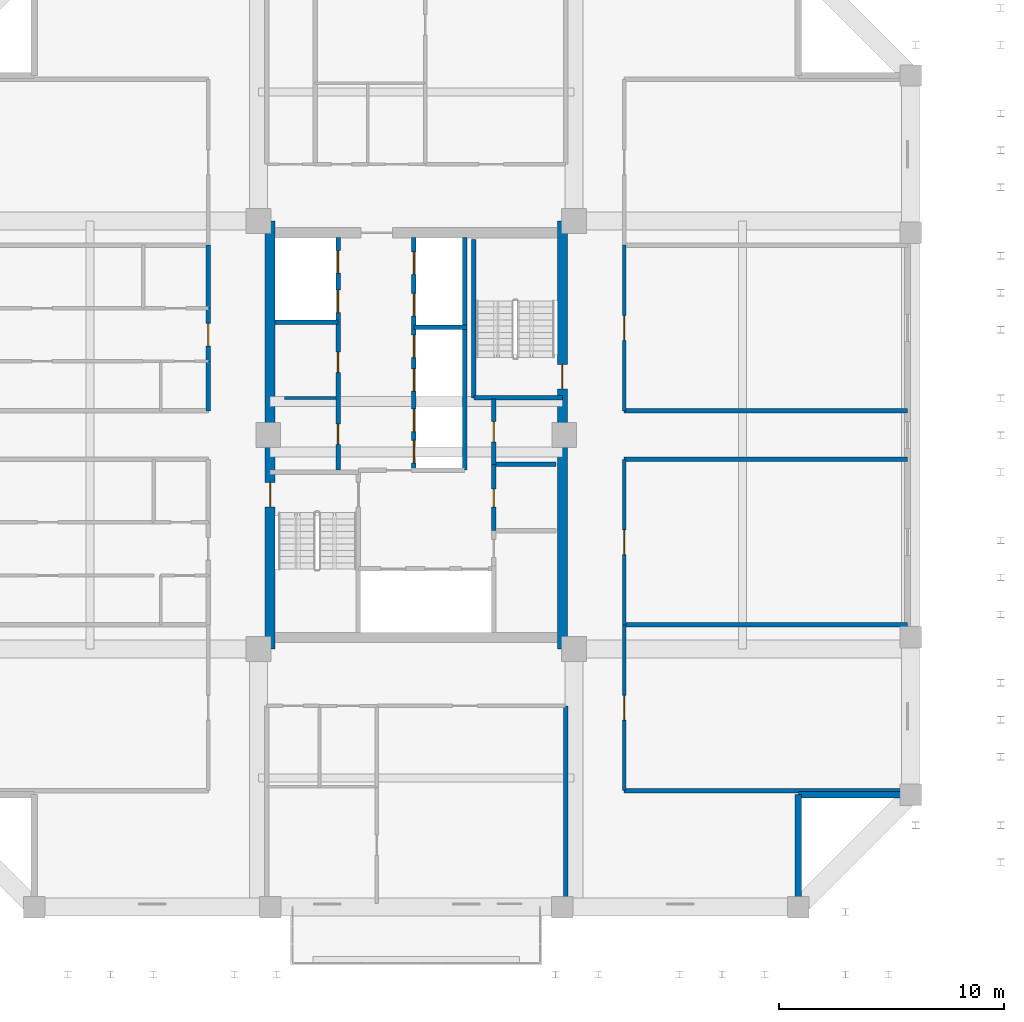
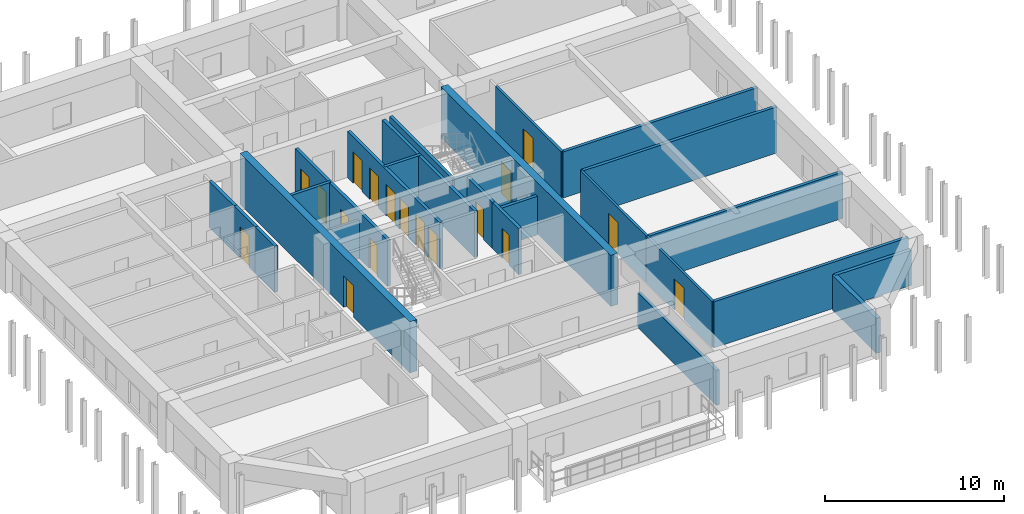
# One storey, part 9 of 13: 27 walls, 18 doors, 18 openings.
"""IFC4 building model written with IfcOpenShell, lengths in metres."""

from ifc_helpers import new_model, si_unit, direction, frame, frame_2d, origin, place, context, subcontext, project, spatial, rectangle, extrude, source, transform, mapped, material, layer, layer_set, type_object, element, fill, save


model = new_model("IFC4")

# Units and contexts
model_context = context("Model", 3, precision=1e-05, world=origin(), true_north=direction((0.0, 1.0)))
body_context = subcontext(model_context, "Body", "Model", "MODEL_VIEW")
ifc_project = project(units=[si_unit("LENGTHUNIT", "METRE"), si_unit("AREAUNIT", "SQUARE_METRE"), si_unit("VOLUMEUNIT", "CUBIC_METRE"), si_unit("PLANEANGLEUNIT", "RADIAN"), si_unit("MASSUNIT", "GRAM", prefix="KILO")], contexts=[model_context])

# Site, building, storey
site_placement = place(None, origin())
site = spatial("IfcSite", under=ifc_project, at=site_placement, CompositionType="ELEMENT")
building_placement = place(site_placement, origin())
building = spatial("IfcBuilding", under=site, at=building_placement, Name="Saelheon Loggia Tower", CompositionType="ELEMENT")
storey_placement = place(building_placement, frame((0.0, 0.0, 148.699951171875)))
storey = spatial("IfcBuildingStorey", under=building, at=storey_placement, Name="L47", CompositionType="ELEMENT", Elevation=148.699951171875)

# Wall, opening, door
ifc_material_1 = material(Name="Concrete C45/55", Category="concrete")
ifc_layer_1 = layer(ifc_material_1, 0.449951171875)
ifc_layer_set_1 = layer_set([ifc_layer_1], Name="Concrete C45/55")
wall_type_1 = type_object("IfcWallType", Name="Wall_CoreShear_450", PredefinedType="SHEAR", material=ifc_layer_set_1)
wall_1_placement = place(storey_placement, frame((31.5, 17.47998046875, 0.0), z_axis=(0.0, 0.0, 1.0), x_axis=(0.0, 1.0, 0.0)))
wall_1 = element("IfcWall", 1, at=wall_1_placement, inside=storey, type_object=wall_type_1, Name="L47 Core Shear Wall West", PredefinedType="SHEAR", context=body_context, shape_type="SweptSolid", body=[
    extrude(rectangle(XDim=19.0400390625, YDim=0.449951171875, at=frame_2d((9.52001953125, 0.0))), origin(), (0.0, 0.0, 1.0), 3.5),
])
opening_1_placement = place(wall_1_placement, frame((6.320068359375, 0.0, 0.0)))
opening_1 = element("IfcOpeningElement", 2, at=opening_1_placement, cuts=wall_1, Name="Opening D-FD2", PredefinedType="OPENING", context=body_context, shape_type="SweptSolid", body=[
    extrude(rectangle(XDim=1.10009765625, YDim=2.14990234375, at=frame_2d((0.550048828125, 1.074951171875))), frame((0.0, 0.237060546875, 0.0), z_axis=(0.0, -1.0, 0.0), x_axis=(1.0, 0.0, 0.0)), (0.0, 0.0, 1.0), 0.473876953125),
])
ifc_material_2 = material(Name="Galvanised Steel Fire Door", Category="steel")
door_type_1 = type_object("IfcDoorType", Name="Door_Fire_FD60_1100", OperationType="NOTDEFINED", PredefinedType="DOOR", material=ifc_material_2)
shared_shape_1 = source(origin(), body_context, "Body", "SweptSolid", [
    extrude(rectangle(XDim=1.10009765625, YDim=2.14990234375, at=frame_2d((0.550048828125, 1.074951171875))), frame((0.0, 0.02490234375, 0.0), z_axis=(0.0, -1.0, 0.0), x_axis=(1.0, 0.0, 0.0)), (0.0, 0.0, 1.0), 0.050048828125),
])
door_1_placement = place(opening_1_placement, origin())
door_1 = element("IfcDoor", 3, at=door_1_placement, inside=storey, type_object=door_type_1, Name="L47 Stair ST1 Corridor Door", OperationType="SINGLE_SWING_LEFT", OverallHeight=2.14990234375, OverallWidth=1.10009765625, PredefinedType="DOOR", context=body_context, shape_type="MappedRepresentation", body=[
    mapped(shared_shape_1, transform((0.0, 0.0, 0.0), scale=1.0)),
])
fill(opening_1, door_1)

wall_2_placement = place(storey_placement, frame((44.5, 17.47998046875, 0.0), z_axis=(0.0, 0.0, 1.0), x_axis=(0.0, 1.0, 0.0)))
wall_2 = element("IfcWall", 4, at=wall_2_placement, inside=storey, type_object=wall_type_1, Name="L47 Core Shear Wall East", PredefinedType="SHEAR", context=body_context, shape_type="SweptSolid", body=[
    extrude(rectangle(XDim=19.0400390625, YDim=0.449951171875, at=frame_2d((9.52001953125, 0.0))), origin(), (0.0, 0.0, 1.0), 3.5),
])
opening_2_placement = place(wall_2_placement, frame((12.670166015625, 0.0, 0.0), z_axis=(0.0, 0.0, 1.0), x_axis=(-1.0, 0.0, 0.0)))
opening_2 = element("IfcOpeningElement", 5, at=opening_2_placement, cuts=wall_2, Name="Opening D-FD2", PredefinedType="OPENING", context=body_context, shape_type="SweptSolid", body=[
    extrude(rectangle(XDim=1.10009765625, YDim=2.14990234375, at=frame_2d((0.550048828125, 1.074951171875))), frame((0.0, 0.237060546875, 0.0), z_axis=(0.0, -1.0, 0.0), x_axis=(1.0, 0.0, 0.0)), (0.0, 0.0, 1.0), 0.473876953125),
])
door_2_placement = place(opening_2_placement, origin())
door_2 = element("IfcDoor", 6, at=door_2_placement, inside=storey, type_object=door_type_1, Name="L47 Stair ST2 Corridor Door", OperationType="SINGLE_SWING_RIGHT", OverallHeight=2.14990234375, OverallWidth=1.10009765625, PredefinedType="DOOR", context=body_context, shape_type="MappedRepresentation", body=[
    mapped(shared_shape_1, transform((0.0, 0.0, 0.0), scale=1.0)),
])
fill(opening_2, door_2)

# Walls
ifc_material_3 = material(Name="Architectural Precast Concrete C40/50", Category="concrete")
ifc_layer_2 = layer(ifc_material_3, 0.280029296875)
ifc_layer_set_2 = layer_set([ifc_layer_2], Name="Architectural Precast Concrete C40/50")
wall_type_2 = type_object("IfcWallType", Name="Wall_Ext_Loggia_280", PredefinedType="SOLIDWALL", material=ifc_layer_set_2)
for number, where, z_axis, x_axis, name in (
    (7, (55.0, 6.080078125, 0.0), (0.0, 0.0, 1.0), (0.0, 1.0, 0.0), "L47 Corner Notch Precast Wall SE1"),
    (8, (55.0, 11.0, 0.0), (0.0, 0.0, 1.0), (1.0, 0.0, 0.0), "L47 Corner Notch Precast Wall SE2"),
):
    element("IfcWall", number, at=place(storey_placement, frame(where, z_axis=z_axis, x_axis=x_axis)), inside=storey, type_object=wall_type_2, Name=name, PredefinedType="SOLIDWALL", context=body_context, shape_type="SweptSolid", body=[
        extrude(rectangle(XDim=4.919921875, YDim=0.280029296875, at=frame_2d((2.4599609375, 0.0))), origin(), (0.0, 0.0, 1.0), 2.39013671875),
    ])
ifc_material_4 = material(Name="Lightweight Autoclaved Aerated Concrete Block and Acoustic Gypsum", Category="concrete")
ifc_layer_3 = layer(ifc_material_4, 0.14990234375)
ifc_layer_set_3 = layer_set([ifc_layer_3], Name="Lightweight Autoclaved Aerated Concrete Block and Acoustic Gypsum")
wall_type_3 = type_object("IfcWallType", Name="Wall_Part_150", PredefinedType="PARTITIONING", material=ifc_layer_set_3)
wall_3_placement = place(storey_placement, frame((32.14990234375, 28.64990234375, 0.0), z_axis=(0.0, 0.0, 1.0), x_axis=(1.0, 0.0, 0.0)))
element("IfcWall", 9, at=wall_3_placement, inside=storey, type_object=wall_type_3, Name="L47 Freed Core Partition PL", PredefinedType="PARTITIONING", context=body_context, shape_type="SweptSolid", body=[
    extrude(rectangle(XDim=2.27001953125, YDim=0.14990234375, at=frame_2d((1.135009765625, 0.0))), origin(), (0.0, 0.0, 1.0), 2.64013671875),
])

# Wall, opening, door
wall_4_placement = place(storey_placement, frame((47.25, 11.179931640625, 0.0), z_axis=(0.0, 0.0, 1.0), x_axis=(0.0, 1.0, 0.0)))
wall_4 = element("IfcWall", 10, at=wall_4_placement, inside=storey, type_object=wall_type_3, Name="L47 ES Partition V03", PredefinedType="PARTITIONING", context=body_context, shape_type="SweptSolid", body=[
    extrude(rectangle(XDim=7.3701171875, YDim=0.14990234375, at=frame_2d((3.68505859375, 0.0))), origin(), (0.0, 0.0, 1.0), 3.16015625),
])
opening_3_placement = place(wall_4_placement, frame((3.135009765625, 0.0, 0.0)))
opening_3 = element("IfcOpeningElement", 11, at=opening_3_placement, cuts=wall_4, Name="Opening D-FD2", PredefinedType="OPENING", context=body_context, shape_type="SweptSolid", body=[
    extrude(rectangle(XDim=1.10009765625, YDim=2.14990234375, at=frame_2d((0.550048828125, 1.074951171875))), frame((0.0, 0.0869140625, 0.0), z_axis=(0.0, -1.0, 0.0), x_axis=(1.0, 0.0, 0.0)), (0.0, 0.0, 1.0), 0.173828125),
])
door_3_placement = place(opening_3_placement, origin())
door_3 = element("IfcDoor", 12, at=door_3_placement, inside=storey, type_object=door_type_1, Name="L47 Resident Fitness Gymnasium Door A", OperationType="SINGLE_SWING_LEFT", OverallHeight=2.14990234375, OverallWidth=1.10009765625, PredefinedType="DOOR", context=body_context, shape_type="MappedRepresentation", body=[
    mapped(shared_shape_1, transform((0.0, 0.0, 0.0), scale=1.0)),
])
fill(opening_3, door_3)

wall_5_placement = place(storey_placement, frame((47.25, 18.550048828125, 0.0), z_axis=(0.0, 0.0, 1.0), x_axis=(0.0, 1.0, 0.0)))
wall_5 = element("IfcWall", 13, at=wall_5_placement, inside=storey, type_object=wall_type_3, Name="L47 ES Partition V05", PredefinedType="PARTITIONING", context=body_context, shape_type="SweptSolid", body=[
    extrude(rectangle(XDim=7.369873046875, YDim=0.14990234375, at=frame_2d((3.68505859375, 0.0))), origin(), (0.0, 0.0, 1.0), 3.16015625),
])
opening_4_placement = place(wall_5_placement, frame((3.135009765625, 0.0, 0.0)))
opening_4 = element("IfcOpeningElement", 14, at=opening_4_placement, cuts=wall_5, Name="Opening D-FD2", PredefinedType="OPENING", context=body_context, shape_type="SweptSolid", body=[
    extrude(rectangle(XDim=1.10009765625, YDim=2.14990234375, at=frame_2d((0.550048828125, 1.074951171875))), frame((0.0, 0.0869140625, 0.0), z_axis=(0.0, -1.0, 0.0), x_axis=(1.0, 0.0, 0.0)), (0.0, 0.0, 1.0), 0.173828125),
])
door_4_placement = place(opening_4_placement, origin())
door_4 = element("IfcDoor", 15, at=door_4_placement, inside=storey, type_object=door_type_1, Name="L47 Resident Fitness Gymnasium Door A", OperationType="SINGLE_SWING_RIGHT", OverallHeight=2.14990234375, OverallWidth=1.10009765625, PredefinedType="DOOR", context=body_context, shape_type="MappedRepresentation", body=[
    mapped(shared_shape_1, transform((0.0, 0.0, 0.0), scale=1.0)),
])
fill(opening_4, door_4)

wall_6_placement = place(storey_placement, frame((47.25, 28.080078125, 0.0), z_axis=(0.0, 0.0, 1.0), x_axis=(0.0, 1.0, 0.0)))
wall_6 = element("IfcWall", 16, at=wall_6_placement, inside=storey, type_object=wall_type_3, Name="L47 EN Partition V03", PredefinedType="PARTITIONING", context=body_context, shape_type="SweptSolid", body=[
    extrude(rectangle(XDim=7.369873046875, YDim=0.14990234375, at=frame_2d((3.68505859375, 0.0))), origin(), (0.0, 0.0, 1.0), 3.16015625),
])
opening_5_placement = place(wall_6_placement, frame((3.135009765625, 0.0, 0.0)))
opening_5 = element("IfcOpeningElement", 17, at=opening_5_placement, cuts=wall_6, Name="Opening D-FD2", PredefinedType="OPENING", context=body_context, shape_type="SweptSolid", body=[
    extrude(rectangle(XDim=1.10009765625, YDim=2.14990234375, at=frame_2d((0.550048828125, 1.074951171875))), frame((0.0, 0.0869140625, 0.0), z_axis=(0.0, -1.0, 0.0), x_axis=(1.0, 0.0, 0.0)), (0.0, 0.0, 1.0), 0.173828125),
])
door_5_placement = place(opening_5_placement, origin())
door_5 = element("IfcDoor", 18, at=door_5_placement, inside=storey, type_object=door_type_1, Name="L47 Resident Fitness Gymnasium Door A", OperationType="SINGLE_SWING_LEFT", OverallHeight=2.14990234375, OverallWidth=1.10009765625, PredefinedType="DOOR", context=body_context, shape_type="MappedRepresentation", body=[
    mapped(shared_shape_1, transform((0.0, 0.0, 0.0), scale=1.0)),
])
fill(opening_5, door_5)

# Walls
ifc_material_5 = material(Name="Double Acoustic Stud and Fireboard Partition", Category="gypsum")
ifc_layer_4 = layer(ifc_material_5, 0.199951171875)
ifc_layer_set_4 = layer_set([ifc_layer_4], Name="Double Acoustic Stud and Fireboard Partition")
wall_type_4 = type_object("IfcWallType", Name="Wall_Party_200", PredefinedType="PARTITIONING", material=ifc_layer_set_4)
wall_7_placement = place(storey_placement, frame((44.64990234375, 14.949951171875, 0.0), z_axis=(0.0, 0.0, 1.0), x_axis=(0.0, -1.0, 0.0)))
element("IfcWall", 19, at=wall_7_placement, inside=storey, type_object=wall_type_4, Name="L47 S Partition U02", PredefinedType="PARTITIONING", context=body_context, shape_type="SweptSolid", body=[
    extrude(rectangle(XDim=8.800048828125, YDim=0.199951171875, at=frame_2d((4.39990234375, 0.0))), origin(), (0.0, 0.0, 1.0), 2.39013671875),
])
wall_8_placement = place(storey_placement, frame((28.75, 28.080078125, 0.0), z_axis=(0.0, 0.0, 1.0), x_axis=(0.0, 1.0, 0.0)))
element("IfcWall", 20, at=wall_8_placement, inside=storey, type_object=wall_type_4, Name="L47 WN Partition V03", PredefinedType="PARTITIONING", context=body_context, shape_type="SweptSolid", body=[
    extrude(rectangle(XDim=2.199951171875, YDim=0.199951171875, at=frame_2d((1.10009765625, 0.0))), origin(), (0.0, 0.0, 1.0), 3.16015625),
])

# Wall, opening, door
wall_9_placement = place(storey_placement, frame((28.75, 30.280029296875, 0.0), z_axis=(0.0, 0.0, 1.0), x_axis=(0.0, 1.0, 0.0)))
wall_9 = element("IfcWall", 21, at=wall_9_placement, inside=storey, type_object=wall_type_4, Name="L47 WN Partition V04", PredefinedType="PARTITIONING", context=body_context, shape_type="SweptSolid", body=[
    extrude(rectangle(XDim=2.369384765625, YDim=0.199951171875, at=frame_2d((1.1845703125, 0.0))), origin(), (0.0, 0.0, 1.0), 3.16015625),
])
opening_6_placement = place(wall_9_placement, frame((0.684814453125, 0.0, 0.0)))
opening_6 = element("IfcOpeningElement", 22, at=opening_6_placement, cuts=wall_9, Name="Opening D-FD1", PredefinedType="OPENING", context=body_context, shape_type="SweptSolid", body=[
    extrude(rectangle(XDim=1.0, YDim=2.14990234375, at=frame_2d((0.5, 1.074951171875))), frame((0.0, 0.112060546875, 0.0), z_axis=(0.0, -1.0, 0.0), x_axis=(1.0, 0.0, 0.0)), (0.0, 0.0, 1.0), 0.223876953125),
])
ifc_material_6 = material(Name="Fire-Rated Engineered Timber Entrance Door", Category="wood")
door_type_2 = type_object("IfcDoorType", Name="Door_Flat_FD30S", OperationType="NOTDEFINED", PredefinedType="DOOR", material=ifc_material_6)
shared_shape_2 = source(origin(), body_context, "Body", "SweptSolid", [
    extrude(rectangle(XDim=1.0, YDim=2.14990234375, at=frame_2d((0.5, 1.074951171875))), frame((0.0, 0.02490234375, 0.0), z_axis=(0.0, -1.0, 0.0), x_axis=(1.0, 0.0, 0.0)), (0.0, 0.0, 1.0), 0.050048828125),
])
door_6_placement = place(opening_6_placement, origin())
door_6 = element("IfcDoor", 23, at=door_6_placement, inside=storey, type_object=door_type_2, Name="Unit U02 Entrance Door", OperationType="SINGLE_SWING_LEFT", OverallHeight=2.14990234375, OverallWidth=1.0, PredefinedType="DOOR", context=body_context, shape_type="MappedRepresentation", body=[
    mapped(shared_shape_2, transform((0.0, 0.0, 0.0), scale=1.0)),
])
fill(opening_6, door_6)

# Walls
wall_10_placement = place(storey_placement, frame((28.75, 32.6494140625, 0.0), z_axis=(0.0, 0.0, 1.0), x_axis=(0.0, 1.0, 0.0)))
element("IfcWall", 24, at=wall_10_placement, inside=storey, type_object=wall_type_4, Name="L47 WN Partition V05", PredefinedType="PARTITIONING", context=body_context, shape_type="SweptSolid", body=[
    extrude(rectangle(XDim=2.800537109375, YDim=0.199951171875, at=frame_2d((1.400390625, 0.0))), origin(), (0.0, 0.0, 1.0), 3.16015625),
])
for number, where, z_axis, x_axis, name in (
    (25, (47.25, 11.179931640625, 0.0), (0.0, 0.0, 1.0), (1.0, 0.0, 0.0), "L47 ES Partition U01"),
    (26, (47.25, 25.919921875, 0.0), (0.0, 0.0, 1.0), (1.0, 0.0, 0.0), "L47 ES Partition U02"),
    (27, (47.25, 18.550048828125, 0.0), (0.0, 0.0, 1.0), (1.0, 0.0, 0.0), "L47 ES Partition U04"),
    (28, (47.25, 28.080078125, 0.0), (0.0, 0.0, 1.0), (1.0, 0.0, 0.0), "L47 EN Partition U01"),
):
    element("IfcWall", number, at=place(storey_placement, frame(where, z_axis=z_axis, x_axis=x_axis)), inside=storey, type_object=wall_type_4, Name=name, PredefinedType="PARTITIONING", context=body_context, shape_type="SweptSolid", body=[
        extrude(rectangle(XDim=12.60009765625, YDim=0.199951171875, at=frame_2d((6.300048828125, 0.0))), origin(), (0.0, 0.0, 1.0), 3.16015625),
    ])
ifc_material_7 = material(Name="Concrete C40/50", Category="concrete")
ifc_layer_5 = layer(ifc_material_7, 0.199951171875)
ifc_layer_set_5 = layer_set([ifc_layer_5], Name="Concrete C40/50")
wall_type_5 = type_object("IfcWallType", Name="Wall_Shaft_200", PredefinedType="PARTITIONING", material=ifc_layer_set_5)
wall_11_placement = place(storey_placement, frame((41.550048828125, 25.699951171875, 0.0), z_axis=(0.0, 0.0, 1.0), x_axis=(1.0, 0.0, 0.0)))
element("IfcWall", 29, at=wall_11_placement, inside=storey, type_object=wall_type_5, Name="CW-BOH-L47-H2", PredefinedType="PARTITIONING", context=body_context, shape_type="SweptSolid", body=[
    extrude(rectangle(XDim=2.669921875, YDim=0.199951171875, at=frame_2d((1.3349609375, 0.0))), origin(), (0.0, 0.0, 1.0), 2.64013671875),
])

# Wall, opening, door
wall_12_placement = place(storey_placement, frame((41.449951171875, 22.75, 0.0), z_axis=(0.0, 0.0, 1.0), x_axis=(0.0, 1.0, 0.0)))
wall_12 = element("IfcWall", 30, at=wall_12_placement, inside=storey, type_object=wall_type_5, Name="CW-INT-L47-BOH-W2", PredefinedType="PARTITIONING", context=body_context, shape_type="SweptSolid", body=[
    extrude(rectangle(XDim=2.949951171875, YDim=0.199951171875, at=frame_2d((1.47509765625, 0.0))), origin(), (0.0, 0.0, 1.0), 3.16015625),
])
opening_7_placement = place(wall_12_placement, frame((1.050048828125, 0.0, 0.0)))
opening_7 = element("IfcOpeningElement", 31, at=opening_7_placement, cuts=wall_12, Name="Opening D-ST1", PredefinedType="OPENING", context=body_context, shape_type="SweptSolid", body=[
    extrude(rectangle(XDim=0.800048828125, YDim=2.050048828125, at=frame_2d((0.39990234375, 1.02490234375))), frame((0.0, 0.112060546875, 0.0), z_axis=(0.0, -1.0, 0.0), x_axis=(1.0, 0.0, 0.0)), (0.0, 0.0, 1.0), 0.223876953125),
])
ifc_material_8 = material(Name="Powder-Coated Steel Store Door", Category="steel")
door_type_3 = type_object("IfcDoorType", Name="Door_Store_800", OperationType="NOTDEFINED", PredefinedType="DOOR", material=ifc_material_8)
shared_shape_3 = source(origin(), body_context, "Body", "SweptSolid", [
    extrude(rectangle(XDim=0.800048828125, YDim=2.050048828125, at=frame_2d((0.39990234375, 1.02490234375))), frame((0.0, 0.02490234375, 0.0), z_axis=(0.0, -1.0, 0.0), x_axis=(1.0, 0.0, 0.0)), (0.0, 0.0, 1.0), 0.050048828125),
])
door_7_placement = place(opening_7_placement, origin())
door_7 = element("IfcDoor", 32, at=door_7_placement, inside=storey, type_object=door_type_3, Name="L47 Electrical Riser Door", OperationType="SINGLE_SWING_RIGHT", OverallHeight=2.050048828125, OverallWidth=0.800048828125, PredefinedType="DOOR", context=body_context, shape_type="MappedRepresentation", body=[
    mapped(shared_shape_3, transform((0.0, 0.0, 0.0), scale=1.0)),
])
fill(opening_7, door_7)

wall_13_placement = place(storey_placement, frame((41.449951171875, 25.699951171875, 0.0), z_axis=(0.0, 0.0, 1.0), x_axis=(0.0, 1.0, 0.0)))
wall_13 = element("IfcWall", 33, at=wall_13_placement, inside=storey, type_object=wall_type_5, Name="CW-INT-L47-BOH-W3", PredefinedType="PARTITIONING", context=body_context, shape_type="SweptSolid", body=[
    extrude(rectangle(XDim=2.900146484375, YDim=0.199951171875, at=frame_2d((1.4501953125, 0.0))), origin(), (0.0, 0.0, 1.0), 3.16015625),
])
opening_8_placement = place(wall_13_placement, frame((1.0, 0.0, 0.0)))
opening_8 = element("IfcOpeningElement", 34, at=opening_8_placement, cuts=wall_13, Name="Opening D-RS1", PredefinedType="OPENING", context=body_context, shape_type="SweptSolid", body=[
    extrude(rectangle(XDim=0.89990234375, YDim=2.10009765625, at=frame_2d((0.449951171875, 1.050048828125))), frame((0.0, 0.112060546875, 0.0), z_axis=(0.0, -1.0, 0.0), x_axis=(1.0, 0.0, 0.0)), (0.0, 0.0, 1.0), 0.223876953125),
])
ifc_material_9 = material(Name="Galvanised Steel Riser Access Door", Category="steel")
door_type_4 = type_object("IfcDoorType", Name="Door_Riser_FD60", OperationType="NOTDEFINED", PredefinedType="DOOR", material=ifc_material_9)
shared_shape_4 = source(origin(), body_context, "Body", "SweptSolid", [
    extrude(rectangle(XDim=0.89990234375, YDim=2.10009765625, at=frame_2d((0.449951171875, 1.050048828125))), frame((0.0, 0.02490234375, 0.0), z_axis=(0.0, -1.0, 0.0), x_axis=(1.0, 0.0, 0.0)), (0.0, 0.0, 1.0), 0.050048828125),
])
door_8_placement = place(opening_8_placement, origin())
door_8 = element("IfcDoor", 35, at=door_8_placement, inside=storey, type_object=door_type_4, Name="L47 Floor IT Room Door", OperationType="SINGLE_SWING_LEFT", OverallHeight=2.10009765625, OverallWidth=0.89990234375, PredefinedType="DOOR", context=body_context, shape_type="MappedRepresentation", body=[
    mapped(shared_shape_4, transform((0.0, 0.0, 0.0), scale=1.0)),
])
fill(opening_8, door_8)

# Walls
wall_14_placement = place(storey_placement, frame((40.14990234375, 25.43994140625, 0.0), z_axis=(0.0, 0.0, 1.0), x_axis=(0.0, 1.0, 0.0)))
element("IfcWall", 36, at=wall_14_placement, inside=storey, type_object=wall_type_5, Name="L47 Core Service Passage West Wall", PredefinedType="PARTITIONING", context=body_context, shape_type="SweptSolid", body=[
    extrude(rectangle(XDim=6.360107421875, YDim=0.199951171875, at=frame_2d((3.18017578125, 0.0))), origin(), (0.0, 0.0, 1.0), 3.16015625),
])
wall_15_placement = place(storey_placement, frame((40.14990234375, 31.800048828125, 0.0), z_axis=(0.0, 0.0, 1.0), x_axis=(0.0, 1.0, 0.0)))
element("IfcWall", 37, at=wall_15_placement, inside=storey, type_object=wall_type_5, Name="L47 East High-Rise Hoistway East Wall", PredefinedType="PARTITIONING", context=body_context, shape_type="SweptSolid", body=[
    extrude(rectangle(XDim=3.97998046875, YDim=0.199951171875, at=frame_2d((1.989990234375, 0.0))), origin(), (0.0, 0.0, 1.0), 3.16015625),
])

# Wall, openings, doors
wall_16_placement = place(storey_placement, frame((34.52001953125, 25.43994140625, 0.0), z_axis=(0.0, 0.0, 1.0), x_axis=(0.0, 1.0, 0.0)))
wall_16 = element("IfcWall", 38, at=wall_16_placement, inside=storey, type_object=wall_type_5, Name="L47 West Passenger Lift Bank Wall", PredefinedType="PARTITIONING", context=body_context, shape_type="SweptSolid", body=[
    extrude(rectangle(XDim=10.340087890625, YDim=0.199951171875, at=frame_2d((5.169921875, 0.0))), origin(), (0.0, 0.0, 1.0), 3.16015625),
])
opening_9_placement = place(wall_16_placement, frame((1.14990234375, 0.0, 0.0)))
opening_9 = element("IfcOpeningElement", 39, at=opening_9_placement, cuts=wall_16, Name="Opening D-RS1", PredefinedType="OPENING", context=body_context, shape_type="SweptSolid", body=[
    extrude(rectangle(XDim=0.89990234375, YDim=2.10009765625, at=frame_2d((0.449951171875, 1.050048828125))), frame((0.0, 0.112060546875, 0.0), z_axis=(0.0, -1.0, 0.0), x_axis=(1.0, 0.0, 0.0)), (0.0, 0.0, 1.0), 0.223876953125),
])
opening_10_placement = place(wall_16_placement, frame((4.35009765625, 0.0, 0.0)))
opening_10 = element("IfcOpeningElement", 40, at=opening_10_placement, cuts=wall_16, Name="Opening D-RS1", PredefinedType="OPENING", context=body_context, shape_type="SweptSolid", body=[
    extrude(rectangle(XDim=0.89990234375, YDim=2.10009765625, at=frame_2d((0.449951171875, 1.050048828125))), frame((0.0, 0.112060546875, 0.0), z_axis=(0.0, -1.0, 0.0), x_axis=(1.0, 0.0, 0.0)), (0.0, 0.0, 1.0), 0.223876953125),
])
opening_11_placement = place(wall_16_placement, frame((7.010009765625, 0.0, 0.0)))
opening_11 = element("IfcOpeningElement", 41, at=opening_11_placement, cuts=wall_16, Name="Opening LD1", PredefinedType="OPENING", context=body_context, shape_type="SweptSolid", body=[
    extrude(rectangle(XDim=1.0, YDim=2.14990234375, at=frame_2d((0.5, 1.074951171875))), frame((0.0, 0.112060546875, 0.0), z_axis=(0.0, -1.0, 0.0), x_axis=(1.0, 0.0, 0.0)), (0.0, 0.0, 1.0), 0.223876953125),
])
opening_12_placement = place(wall_16_placement, frame((8.760009765625, 0.0, 0.0)))
opening_12 = element("IfcOpeningElement", 42, at=opening_12_placement, cuts=wall_16, Name="Opening LD1", PredefinedType="OPENING", context=body_context, shape_type="SweptSolid", body=[
    extrude(rectangle(XDim=1.0, YDim=2.14990234375, at=frame_2d((0.5, 1.074951171875))), frame((0.0, 0.112060546875, 0.0), z_axis=(0.0, -1.0, 0.0), x_axis=(1.0, 0.0, 0.0)), (0.0, 0.0, 1.0), 0.223876953125),
])
door_9_placement = place(opening_9_placement, origin())
door_9 = element("IfcDoor", 43, at=door_9_placement, inside=storey, type_object=door_type_4, Name="L47 Parcel Store Door", OperationType="SINGLE_SWING_RIGHT", OverallHeight=2.10009765625, OverallWidth=0.89990234375, PredefinedType="DOOR", context=body_context, shape_type="MappedRepresentation", body=[
    mapped(shared_shape_4, transform((0.0, 0.0, 0.0), scale=1.0)),
])
fill(opening_9, door_9)
door_10_placement = place(opening_10_placement, origin())
door_10 = element("IfcDoor", 44, at=door_10_placement, inside=storey, type_object=door_type_4, Name="L47 Smart Metering Door", OperationType="SINGLE_SWING_LEFT", OverallHeight=2.10009765625, OverallWidth=0.89990234375, PredefinedType="DOOR", context=body_context, shape_type="MappedRepresentation", body=[
    mapped(shared_shape_4, transform((0.0, 0.0, 0.0), scale=1.0)),
])
fill(opening_10, door_10)
ifc_material_10 = material(Name="Brushed Stainless Steel 304 Landing Door", Category="steel")
door_type_5 = type_object("IfcDoorType", Name="Door_Lift_LD1", OperationType="DOUBLE_DOOR_SLIDING", PredefinedType="DOOR", material=ifc_material_10)
door_11_placement = place(opening_11_placement, origin())
door_11 = element("IfcDoor", 45, at=door_11_placement, inside=storey, type_object=door_type_5, Name="L47 PH1 Landing Door", OperationType="DOUBLE_DOOR_SLIDING", OverallHeight=2.14990234375, OverallWidth=1.0, PredefinedType="DOOR", context=body_context, shape_type="MappedRepresentation", body=[
    mapped(shared_shape_2, transform((0.0, 0.0, 0.0), scale=1.0)),
])
fill(opening_11, door_11)
door_12_placement = place(opening_12_placement, origin())
door_12 = element("IfcDoor", 46, at=door_12_placement, inside=storey, type_object=door_type_5, Name="L47 PH2 Landing Door", OperationType="DOUBLE_DOOR_SLIDING", OverallHeight=2.14990234375, OverallWidth=1.0, PredefinedType="DOOR", context=body_context, shape_type="MappedRepresentation", body=[
    mapped(shared_shape_2, transform((0.0, 0.0, 0.0), scale=1.0)),
])
fill(opening_12, door_12)

# Wall
wall_17_placement = place(storey_placement, frame((31.719970703125, 32.02001953125, 0.0), z_axis=(0.0, 0.0, 1.0), x_axis=(1.0, 0.0, 0.0)))
element("IfcWall", 47, at=wall_17_placement, inside=storey, type_object=wall_type_5, Name="L47 West High-Rise Shaft Divider", PredefinedType="PARTITIONING", context=body_context, shape_type="SweptSolid", body=[
    extrude(rectangle(XDim=2.800048828125, YDim=0.199951171875, at=frame_2d((1.39990234375, 0.0))), origin(), (0.0, 0.0, 1.0), 3.16015625),
])

# Wall, openings, doors
wall_18_placement = place(storey_placement, frame((37.89990234375, 25.43994140625, 0.0), z_axis=(0.0, 0.0, 1.0), x_axis=(0.0, 1.0, 0.0)))
wall_18 = element("IfcWall", 48, at=wall_18_placement, inside=storey, type_object=wall_type_5, Name="L47 East Passenger Lift Bank Wall", PredefinedType="PARTITIONING", context=body_context, shape_type="SweptSolid", body=[
    extrude(rectangle(XDim=10.340087890625, YDim=0.199951171875, at=frame_2d((5.169921875, 0.0))), origin(), (0.0, 0.0, 1.0), 3.16015625),
])
opening_13_placement = place(wall_18_placement, frame((0.320068359375, 0.0, 0.0)))
opening_13 = element("IfcOpeningElement", 49, at=opening_13_placement, cuts=wall_18, Name="Opening LD1", PredefinedType="OPENING", context=body_context, shape_type="SweptSolid", body=[
    extrude(rectangle(XDim=1.0, YDim=2.14990234375, at=frame_2d((0.5, 1.074951171875))), frame((0.0, 0.112060546875, 0.0), z_axis=(0.0, -1.0, 0.0), x_axis=(1.0, 0.0, 0.0)), (0.0, 0.0, 1.0), 0.223876953125),
])
opening_14_placement = place(wall_18_placement, frame((1.7099609375, 0.0, 0.0)))
opening_14 = element("IfcOpeningElement", 50, at=opening_14_placement, cuts=wall_18, Name="Opening LD1", PredefinedType="OPENING", context=body_context, shape_type="SweptSolid", body=[
    extrude(rectangle(XDim=1.0, YDim=2.14990234375, at=frame_2d((0.5, 1.074951171875))), frame((0.0, 0.112060546875, 0.0), z_axis=(0.0, -1.0, 0.0), x_axis=(1.0, 0.0, 0.0)), (0.0, 0.0, 1.0), 0.223876953125),
])
opening_15_placement = place(wall_18_placement, frame((3.510009765625, 0.0, 0.0)))
opening_15 = element("IfcOpeningElement", 51, at=opening_15_placement, cuts=wall_18, Name="Opening LD1", PredefinedType="OPENING", context=body_context, shape_type="SweptSolid", body=[
    extrude(rectangle(XDim=1.0, YDim=2.14990234375, at=frame_2d((0.5, 1.074951171875))), frame((0.0, 0.112060546875, 0.0), z_axis=(0.0, -1.0, 0.0), x_axis=(1.0, 0.0, 0.0)), (0.0, 0.0, 1.0), 0.223876953125),
])
opening_16_placement = place(wall_18_placement, frame((5.010009765625, 0.0, 0.0)))
opening_16 = element("IfcOpeningElement", 52, at=opening_16_placement, cuts=wall_18, Name="Opening LD1", PredefinedType="OPENING", context=body_context, shape_type="SweptSolid", body=[
    extrude(rectangle(XDim=1.0, YDim=2.14990234375, at=frame_2d((0.5, 1.074951171875))), frame((0.0, 0.112060546875, 0.0), z_axis=(0.0, -1.0, 0.0), x_axis=(1.0, 0.0, 0.0)), (0.0, 0.0, 1.0), 0.223876953125),
])
opening_17_placement = place(wall_18_placement, frame((6.860107421875, 0.0, 0.0)))
opening_17 = element("IfcOpeningElement", 53, at=opening_17_placement, cuts=wall_18, Name="Opening LD1", PredefinedType="OPENING", context=body_context, shape_type="SweptSolid", body=[
    extrude(rectangle(XDim=1.0, YDim=2.14990234375, at=frame_2d((0.5, 1.074951171875))), frame((0.0, 0.112060546875, 0.0), z_axis=(0.0, -1.0, 0.0), x_axis=(1.0, 0.0, 0.0)), (0.0, 0.0, 1.0), 0.223876953125),
])
opening_18_placement = place(wall_18_placement, frame((8.7099609375, 0.0, 0.0)))
opening_18 = element("IfcOpeningElement", 54, at=opening_18_placement, cuts=wall_18, Name="Opening LD1", PredefinedType="OPENING", context=body_context, shape_type="SweptSolid", body=[
    extrude(rectangle(XDim=1.0, YDim=2.14990234375, at=frame_2d((0.5, 1.074951171875))), frame((0.0, 0.112060546875, 0.0), z_axis=(0.0, -1.0, 0.0), x_axis=(1.0, 0.0, 0.0)), (0.0, 0.0, 1.0), 0.223876953125),
])
door_13_placement = place(opening_13_placement, origin())
door_13 = element("IfcDoor", 55, at=door_13_placement, inside=storey, type_object=door_type_5, Name="L47 PM1 Landing Door", OperationType="DOUBLE_DOOR_SLIDING", OverallHeight=2.14990234375, OverallWidth=1.0, PredefinedType="DOOR", context=body_context, shape_type="MappedRepresentation", body=[
    mapped(shared_shape_2, transform((0.0, 0.0, 0.0), scale=1.0)),
])
fill(opening_13, door_13)
door_14_placement = place(opening_14_placement, origin())
door_14 = element("IfcDoor", 56, at=door_14_placement, inside=storey, type_object=door_type_5, Name="L47 PM2 Landing Door", OperationType="DOUBLE_DOOR_SLIDING", OverallHeight=2.14990234375, OverallWidth=1.0, PredefinedType="DOOR", context=body_context, shape_type="MappedRepresentation", body=[
    mapped(shared_shape_2, transform((0.0, 0.0, 0.0), scale=1.0)),
])
fill(opening_14, door_14)
door_15_placement = place(opening_15_placement, origin())
door_15 = element("IfcDoor", 57, at=door_15_placement, inside=storey, type_object=door_type_5, Name="L47 PM3 Landing Door", OperationType="DOUBLE_DOOR_SLIDING", OverallHeight=2.14990234375, OverallWidth=1.0, PredefinedType="DOOR", context=body_context, shape_type="MappedRepresentation", body=[
    mapped(shared_shape_2, transform((0.0, 0.0, 0.0), scale=1.0)),
])
fill(opening_15, door_15)
door_16_placement = place(opening_16_placement, origin())
door_16 = element("IfcDoor", 58, at=door_16_placement, inside=storey, type_object=door_type_5, Name="L47 PM4 Landing Door", OperationType="DOUBLE_DOOR_SLIDING", OverallHeight=2.14990234375, OverallWidth=1.0, PredefinedType="DOOR", context=body_context, shape_type="MappedRepresentation", body=[
    mapped(shared_shape_2, transform((0.0, 0.0, 0.0), scale=1.0)),
])
fill(opening_16, door_16)
door_17_placement = place(opening_17_placement, origin())
door_17 = element("IfcDoor", 59, at=door_17_placement, inside=storey, type_object=door_type_5, Name="L47 PH3 Landing Door", OperationType="DOUBLE_DOOR_SLIDING", OverallHeight=2.14990234375, OverallWidth=1.0, PredefinedType="DOOR", context=body_context, shape_type="MappedRepresentation", body=[
    mapped(shared_shape_2, transform((0.0, 0.0, 0.0), scale=1.0)),
])
fill(opening_17, door_17)
door_18_placement = place(opening_18_placement, origin())
door_18 = element("IfcDoor", 60, at=door_18_placement, inside=storey, type_object=door_type_5, Name="L47 PH4 Landing Door", OperationType="DOUBLE_DOOR_SLIDING", OverallHeight=2.14990234375, OverallWidth=1.0, PredefinedType="DOOR", context=body_context, shape_type="MappedRepresentation", body=[
    mapped(shared_shape_2, transform((0.0, 0.0, 0.0), scale=1.0)),
])
fill(opening_18, door_18)

# Walls
wall_19_placement = place(storey_placement, frame((37.89990234375, 31.800048828125, 0.0), z_axis=(0.0, 0.0, 1.0), x_axis=(1.0, 0.0, 0.0)))
element("IfcWall", 61, at=wall_19_placement, inside=storey, type_object=wall_type_5, Name="L47 East High-Rise Shaft Divider", PredefinedType="PARTITIONING", context=body_context, shape_type="SweptSolid", body=[
    extrude(rectangle(XDim=2.35009765625, YDim=0.199951171875, at=frame_2d((1.175048828125, 0.0))), origin(), (0.0, 0.0, 1.0), 3.16015625),
])
ifc_layer_6 = layer(ifc_material_1, 0.199951171875)
ifc_layer_set_6 = layer_set([ifc_layer_6], Name="Concrete C45/55")
wall_type_6 = type_object("IfcWallType", Name="Wall_StairShaft_RC200", PredefinedType="SOLIDWALL", material=ifc_layer_set_6)
wall_20_placement = place(storey_placement, frame((40.570068359375, 28.64990234375, 0.0), z_axis=(0.0, 0.0, 1.0), x_axis=(0.0, 1.0, 0.0)))
element("IfcWall", 62, at=wall_20_placement, inside=storey, type_object=wall_type_6, Name="L47 Stair ST2 Shaft Wall", PredefinedType="SOLIDWALL", context=body_context, shape_type="SweptSolid", body=[
    extrude(rectangle(XDim=7.050048828125, YDim=0.199951171875, at=frame_2d((3.52490234375, 0.0))), origin(), (0.0, 0.0, 1.0), 3.2900390625),
])
wall_21_placement = place(storey_placement, frame((40.570068359375, 28.64990234375, 0.0), z_axis=(0.0, 0.0, 1.0), x_axis=(1.0, 0.0, 0.0)))
element("IfcWall", 63, at=wall_21_placement, inside=storey, type_object=wall_type_6, Name="L47 Stair ST2 South Wall", PredefinedType="SOLIDWALL", context=body_context, shape_type="SweptSolid", body=[
    extrude(rectangle(XDim=3.929931640625, YDim=0.199951171875, at=frame_2d((1.96484375, 0.0))), origin(), (0.0, 0.0, 1.0), 3.2900390625),
])

save(model, "model.ifc")
